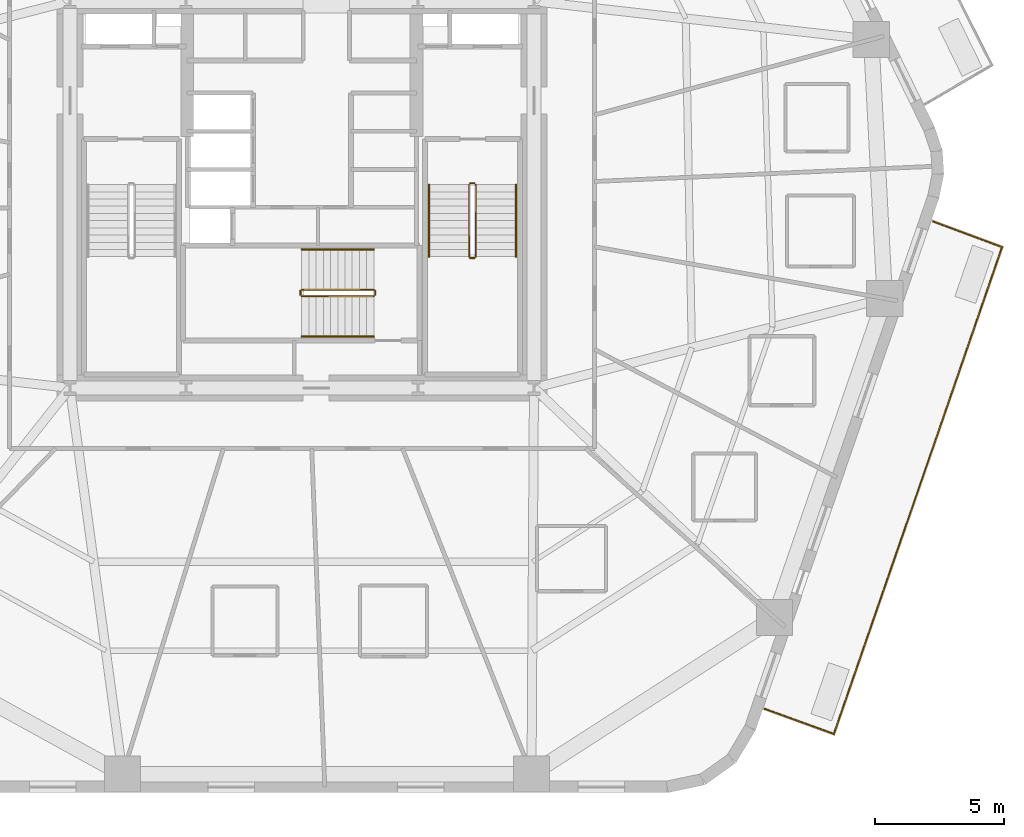
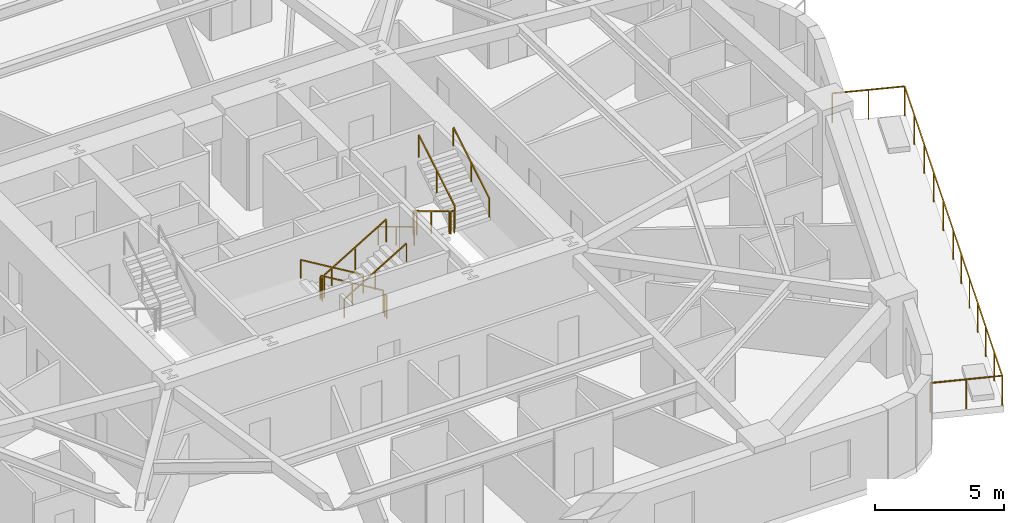
# One storey, part 9 of 10: 13 railings.
"""IFC4 building model written with IfcOpenShell, lengths in metres."""

from ifc_helpers import new_model, si_unit, direction, frame, origin, origin_2d, place, context, subcontext, project, spatial, rectangle, extrude, material, layer, layer_set, type_object, element, save


model = new_model("IFC4")

# Units and contexts
model_context = context("Model", 3, precision=1e-05, world=origin(), true_north=direction((0.0, 1.0)))
body_context = subcontext(model_context, "Body", "Model", "MODEL_VIEW")
ifc_project = project(units=[si_unit("LENGTHUNIT", "METRE"), si_unit("AREAUNIT", "SQUARE_METRE"), si_unit("VOLUMEUNIT", "CUBIC_METRE"), si_unit("PLANEANGLEUNIT", "RADIAN"), si_unit("MASSUNIT", "GRAM", prefix="KILO")], contexts=[model_context])

# Site, building, storey
site_placement = place(None, origin())
site = spatial("IfcSite", under=ifc_project, at=site_placement, CompositionType="ELEMENT")
building_placement = place(site_placement, origin())
building = spatial("IfcBuilding", under=site, at=building_placement, Name="Kilnhurst Terrace Hotel", CompositionType="ELEMENT")
storey_placement = place(building_placement, frame((0.0, 0.0, 49.0)))
storey = spatial("IfcBuildingStorey", under=building, at=storey_placement, Name="L10", CompositionType="ELEMENT", Elevation=49.0)

# Railings
ifc_material_1 = material(Name="Laminated SentryGlas and Stainless Steel AISI 316L Balustrade", Category="steel")
ifc_layer_1 = layer(ifc_material_1, 0.070068359375, Name="Laminated SentryGlas and Stainless Steel AISI 316L Balustrade")
ifc_layer_set_1 = layer_set([ifc_layer_1], Name="Laminated SentryGlas and Stainless Steel AISI 316L Balustrade")
railing_type_1 = type_object("IfcRailingType", Name="RLG-BAL-1420", PredefinedType="BALUSTRADE", material=ifc_layer_set_1)
railing_1_placement = place(storey_placement, frame((24.485107421875, -1.041748046875, 0.0)))
element("IfcRailing", 1, at=railing_1_placement, inside=storey, type_object=railing_type_1, Name="L10 Exterior Terrace Guardrail BAL-L1A.1", PredefinedType="BALUSTRADE", context=body_context, shape_type="SweptSolid", body=[
    extrude(rectangle(XDim=0.048095703125, YDim=0.048095703125, at=origin_2d()), frame((0.0, 0.0, 1.39599609375), z_axis=(0.937279097592, -0.348579823308, 0.0), x_axis=(0.348579823308, 0.937279097592, 0.0)), (0.0, 0.0, 1.0), 2.85205078125),
    extrude(rectangle(XDim=0.048095703125, YDim=0.048095703125, at=origin_2d()), frame((2.673095703125, -0.994140625, 1.39599609375), z_axis=(-0.326159116329, -0.945314884488, 0.0), x_axis=(0.945314884488, -0.326159116329, 0.0)), (0.0, 0.0, 1.0), 9.91650390625),
    extrude(rectangle(XDim=0.048095703125, YDim=0.048095703125, at=origin_2d()), frame((-0.561279296875, -10.368408203125, 1.39599609375), z_axis=(-0.326903959129, -0.945057565181, 0.0), x_axis=(0.945057565181, -0.326903959129, 0.0)), (0.0, 0.0, 1.0), 10.065673828125),
    extrude(rectangle(XDim=0.048095703125, YDim=0.048095703125, at=origin_2d()), frame((-3.851806640625, -19.881103515625, 1.39599609375), z_axis=(-0.939926315563, 0.341377388402, 0.0), x_axis=(-0.341377388402, -0.939926315563, 0.0)), (0.0, 0.0, 1.0), 2.84130859375),
    extrude(rectangle(XDim=0.0419921875, YDim=0.0419921875, at=origin_2d()), origin(), (0.0, 0.0, 1.0), 1.371826171875),
    extrude(rectangle(XDim=0.0419921875, YDim=0.0419921875, at=origin_2d()), frame((1.33642578125, -0.4970703125, 0.0)), (0.0, 0.0, 1.0), 1.371826171875),
    extrude(rectangle(XDim=0.0419921875, YDim=0.0419921875, at=origin_2d()), frame((2.673095703125, -0.994140625, 0.0)), (0.0, 0.0, 1.0), 1.371826171875),
    extrude(rectangle(XDim=0.0419921875, YDim=0.0419921875, at=origin_2d()), frame((2.026123046875, -2.868896484375, 0.0)), (0.0, 0.0, 1.0), 1.371826171875),
    extrude(rectangle(XDim=0.0419921875, YDim=0.0419921875, at=origin_2d()), frame((1.37939453125, -4.743896484375, 0.0)), (0.0, 0.0, 1.0), 1.371826171875),
    extrude(rectangle(XDim=0.0419921875, YDim=0.0419921875, at=origin_2d()), frame((0.732421875, -6.61865234375, 0.0)), (0.0, 0.0, 1.0), 1.371826171875),
    extrude(rectangle(XDim=0.0419921875, YDim=0.0419921875, at=origin_2d()), frame((0.085693359375, -8.49365234375, 0.0)), (0.0, 0.0, 1.0), 1.371826171875),
    extrude(rectangle(XDim=0.0419921875, YDim=0.0419921875, at=origin_2d()), frame((-0.561279296875, -10.368408203125, 0.0)), (0.0, 0.0, 1.0), 1.371826171875),
    extrude(rectangle(XDim=0.0419921875, YDim=0.0419921875, at=origin_2d()), frame((-1.109619140625, -11.953857421875, 0.0)), (0.0, 0.0, 1.0), 1.371826171875),
    extrude(rectangle(XDim=0.0419921875, YDim=0.0419921875, at=origin_2d()), frame((-1.658203125, -13.539306640625, 0.0)), (0.0, 0.0, 1.0), 1.371826171875),
    extrude(rectangle(XDim=0.0419921875, YDim=0.0419921875, at=origin_2d()), frame((-2.20654296875, -15.124755859375, 0.0)), (0.0, 0.0, 1.0), 1.371826171875),
    extrude(rectangle(XDim=0.0419921875, YDim=0.0419921875, at=origin_2d()), frame((-2.7548828125, -16.710205078125, 0.0)), (0.0, 0.0, 1.0), 1.371826171875),
    extrude(rectangle(XDim=0.0419921875, YDim=0.0419921875, at=origin_2d()), frame((-3.303466796875, -18.295654296875, 0.0)), (0.0, 0.0, 1.0), 1.371826171875),
    extrude(rectangle(XDim=0.0419921875, YDim=0.0419921875, at=origin_2d()), frame((-3.851806640625, -19.881103515625, 0.0)), (0.0, 0.0, 1.0), 1.371826171875),
    extrude(rectangle(XDim=0.0419921875, YDim=0.0419921875, at=origin_2d()), frame((-5.18701171875, -19.39599609375, 0.0)), (0.0, 0.0, 1.0), 1.371826171875),
    extrude(rectangle(XDim=0.0419921875, YDim=0.0419921875, at=origin_2d()), frame((-6.5224609375, -18.9111328125, 0.0)), (0.0, 0.0, 1.0), 1.371826171875),
])
ifc_material_2 = material(Name="Powder-Coated Steel ASTM A500 Grade B", Category="steel")
ifc_layer_2 = layer(ifc_material_2, 0.050048828125, Name="Powder-Coated Steel ASTM A500 Grade B")
ifc_layer_set_2 = layer_set([ifc_layer_2], Name="Powder-Coated Steel ASTM A500 Grade B")
railing_type_2 = type_object("IfcRailingType", Name="RLG-ST-GRD-1100", PredefinedType="GUARDRAIL", material=ifc_layer_set_2)
railing_2_placement = place(storey_placement, frame((6.489990234375, 0.389892578125, 0.168212890625)))
element("IfcRailing", 2, at=railing_2_placement, inside=storey, type_object=railing_type_2, Name="L10 ST-2 stair guard 1", PredefinedType="GUARDRAIL", context=body_context, shape_type="SweptSolid", body=[
    extrude(rectangle(XDim=0.048095703125, YDim=0.048095703125, at=origin_2d()), frame((0.0, 0.0, 1.076171875), z_axis=(0.0, -0.857222391501, 0.514946377315), x_axis=(1.0, 0.0, 0.0)), (0.0, 0.0, 1.0), 3.26611328125),
    extrude(rectangle(XDim=0.0419921875, YDim=0.0419921875, at=origin_2d()), origin(), (0.0, 0.0, 1.0), 1.052001953125),
    extrude(rectangle(XDim=0.0419921875, YDim=0.0419921875, at=origin_2d()), frame((0.0, -1.39990234375, 0.8408203125)), (0.0, 0.0, 1.0), 1.052001953125),
    extrude(rectangle(XDim=0.0419921875, YDim=0.0419921875, at=origin_2d()), frame((0.0, -2.7998046875, 1.681884765625)), (0.0, 0.0, 1.0), 1.052001953125),
])
railing_3_placement = place(storey_placement, frame((6.5400390625, -2.4599609375, 1.85009765625)))
element("IfcRailing", 3, at=railing_3_placement, inside=storey, type_object=railing_type_2, Name="L10 ST-2 stair guard 2", PredefinedType="GUARDRAIL", context=body_context, shape_type="SweptSolid", body=[
    extrude(rectangle(XDim=0.048095703125, YDim=0.048095703125, at=origin_2d()), frame((0.0, 0.0, 1.076171875), z_axis=(1.0, 0.0, 0.0), x_axis=(0.0, 1.0, 0.0)), (0.0, 0.0, 1.0), 0.14990234375),
    extrude(rectangle(XDim=0.0419921875, YDim=0.0419921875, at=origin_2d()), origin(), (0.0, 0.0, 1.0), 1.052001953125),
    extrude(rectangle(XDim=0.0419921875, YDim=0.0419921875, at=origin_2d()), frame((0.14990234375, 0.0, 0.0)), (0.0, 0.0, 1.0), 1.052001953125),
])
railing_4_placement = place(storey_placement, frame((6.739990234375, -2.409912109375, 2.01806640625)))
element("IfcRailing", 4, at=railing_4_placement, inside=storey, type_object=railing_type_2, Name="L10 ST-2 stair guard 3", PredefinedType="GUARDRAIL", context=body_context, shape_type="SweptSolid", body=[
    extrude(rectangle(XDim=0.048095703125, YDim=0.048095703125, at=origin_2d()), frame((0.0, 0.0, 1.076171875), z_axis=(0.0, 0.857222391501, 0.514946377315), x_axis=(-1.0, 0.0, 0.0)), (0.0, 0.0, 1.0), 3.26611328125),
    extrude(rectangle(XDim=0.0419921875, YDim=0.0419921875, at=origin_2d()), origin(), (0.0, 0.0, 1.0), 1.052001953125),
    extrude(rectangle(XDim=0.0419921875, YDim=0.0419921875, at=origin_2d()), frame((0.0, 1.39990234375, 0.8408203125)), (0.0, 0.0, 1.0), 1.052001953125),
    extrude(rectangle(XDim=0.0419921875, YDim=0.0419921875, at=origin_2d()), frame((0.0, 2.7998046875, 1.681884765625)), (0.0, 0.0, 1.0), 1.052001953125),
])
railing_5_placement = place(storey_placement, frame((6.5400390625, 0.43994140625, 0.0)))
element("IfcRailing", 5, at=railing_5_placement, inside=storey, type_object=railing_type_2, Name="L10 ST-2 stair guard 4", PredefinedType="GUARDRAIL", context=body_context, shape_type="SweptSolid", body=[
    extrude(rectangle(XDim=0.048095703125, YDim=0.048095703125, at=origin_2d()), frame((0.0, 0.0, 1.076171875), z_axis=(1.0, 0.0, 0.0), x_axis=(0.0, 1.0, 0.0)), (0.0, 0.0, 1.0), 0.14990234375),
    extrude(rectangle(XDim=0.0419921875, YDim=0.0419921875, at=origin_2d()), origin(), (0.0, 0.0, 1.0), 1.052001953125),
    extrude(rectangle(XDim=0.0419921875, YDim=0.0419921875, at=origin_2d()), frame((0.14990234375, 0.0, 0.0)), (0.0, 0.0, 1.0), 1.052001953125),
])
railing_6_placement = place(storey_placement, frame((2.7900390625, -3.68994140625, 0.168212890625)))
element("IfcRailing", 6, at=railing_6_placement, inside=storey, type_object=railing_type_2, Name="L10 ST-3 stair guard 1", PredefinedType="GUARDRAIL", context=body_context, shape_type="SweptSolid", body=[
    extrude(rectangle(XDim=0.048095703125, YDim=0.048095703125, at=origin_2d()), frame((0.0, 0.0, 1.076171875), z_axis=(-0.857242210791, 0.0, 0.514913383045), x_axis=(0.0, -1.0, 0.0)), (0.0, 0.0, 1.0), 3.266357421875),
    extrude(rectangle(XDim=0.0419921875, YDim=0.0419921875, at=origin_2d()), origin(), (0.0, 0.0, 1.0), 1.052001953125),
    extrude(rectangle(XDim=0.0419921875, YDim=0.0419921875, at=origin_2d()), frame((-1.39990234375, 0.0, 0.8408203125)), (0.0, 0.0, 1.0), 1.052001953125),
    extrude(rectangle(XDim=0.0419921875, YDim=0.0419921875, at=origin_2d()), frame((-2.800048828125, 0.0, 1.681884765625)), (0.0, 0.0, 1.0), 1.052001953125),
])
railing_7_placement = place(storey_placement, frame((-0.06005859375, -3.739990234375, 1.85009765625)))
element("IfcRailing", 7, at=railing_7_placement, inside=storey, type_object=railing_type_2, Name="L10 ST-3 stair guard 2", PredefinedType="GUARDRAIL", context=body_context, shape_type="SweptSolid", body=[
    extrude(rectangle(XDim=0.048095703125, YDim=0.048095703125, at=origin_2d()), frame((0.0, 0.0, 1.076171875), z_axis=(0.0, -1.0, 0.0), x_axis=(1.0, 0.0, 0.0)), (0.0, 0.0, 1.0), 0.14990234375),
    extrude(rectangle(XDim=0.0419921875, YDim=0.0419921875, at=origin_2d()), origin(), (0.0, 0.0, 1.0), 1.052001953125),
    extrude(rectangle(XDim=0.0419921875, YDim=0.0419921875, at=origin_2d()), frame((0.0, -0.14990234375, 0.0)), (0.0, 0.0, 1.0), 1.052001953125),
])
railing_8_placement = place(storey_placement, frame((-0.010009765625, -3.93994140625, 2.01806640625)))
element("IfcRailing", 8, at=railing_8_placement, inside=storey, type_object=railing_type_2, Name="L10 ST-3 stair guard 3", PredefinedType="GUARDRAIL", context=body_context, shape_type="SweptSolid", body=[
    extrude(rectangle(XDim=0.048095703125, YDim=0.048095703125, at=origin_2d()), frame((0.0, 0.0, 1.076171875), z_axis=(0.857242210791, 0.0, 0.514913383045), x_axis=(0.0, 1.0, 0.0)), (0.0, 0.0, 1.0), 3.266357421875),
    extrude(rectangle(XDim=0.0419921875, YDim=0.0419921875, at=origin_2d()), origin(), (0.0, 0.0, 1.0), 1.052001953125),
    extrude(rectangle(XDim=0.0419921875, YDim=0.0419921875, at=origin_2d()), frame((1.39990234375, 0.0, 0.8408203125)), (0.0, 0.0, 1.0), 1.052001953125),
    extrude(rectangle(XDim=0.0419921875, YDim=0.0419921875, at=origin_2d()), frame((2.800048828125, 0.0, 1.681884765625)), (0.0, 0.0, 1.0), 1.052001953125),
])
railing_9_placement = place(storey_placement, frame((2.840087890625, -3.739990234375, 0.0)))
element("IfcRailing", 9, at=railing_9_placement, inside=storey, type_object=railing_type_2, Name="L10 ST-3 stair guard 4", PredefinedType="GUARDRAIL", context=body_context, shape_type="SweptSolid", body=[
    extrude(rectangle(XDim=0.048095703125, YDim=0.048095703125, at=origin_2d()), frame((0.0, 0.0, 1.076171875), z_axis=(0.0, -1.0, 0.0), x_axis=(1.0, 0.0, 0.0)), (0.0, 0.0, 1.0), 0.14990234375),
    extrude(rectangle(XDim=0.0419921875, YDim=0.0419921875, at=origin_2d()), origin(), (0.0, 0.0, 1.0), 1.052001953125),
    extrude(rectangle(XDim=0.0419921875, YDim=0.0419921875, at=origin_2d()), frame((0.0, -0.14990234375, 0.0)), (0.0, 0.0, 1.0), 1.052001953125),
])
ifc_material_3 = material(Name="Brushed Stainless Steel AISI 304", Category="steel")
ifc_layer_3 = layer(ifc_material_3, 0.048095703125, Name="Brushed Stainless Steel AISI 304")
ifc_layer_set_3 = layer_set([ifc_layer_3], Name="Brushed Stainless Steel AISI 304")
railing_type_3 = type_object("IfcRailingType", Name="RLG-ST-HRL-900", PredefinedType="HANDRAIL", material=ifc_layer_set_3)
railing_10_placement = place(storey_placement, frame((4.929931640625, 0.389892578125, 0.168212890625)))
element("IfcRailing", 10, at=railing_10_placement, inside=storey, type_object=railing_type_3, Name="L10 ST-2 stair handrail 1", PredefinedType="HANDRAIL", context=body_context, shape_type="SweptSolid", body=[
    extrude(rectangle(XDim=0.048095703125, YDim=0.048095703125, at=origin_2d()), frame((0.0, 0.0, 0.8759765625), z_axis=(0.0, -0.857222391501, 0.514946377315), x_axis=(1.0, 0.0, 0.0)), (0.0, 0.0, 1.0), 3.26611328125),
    extrude(rectangle(XDim=0.0419921875, YDim=0.0419921875, at=origin_2d()), origin(), (0.0, 0.0, 1.0), 0.851806640625),
    extrude(rectangle(XDim=0.0419921875, YDim=0.0419921875, at=origin_2d()), frame((0.0, -1.39990234375, 0.8408203125)), (0.0, 0.0, 1.0), 0.851806640625),
    extrude(rectangle(XDim=0.0419921875, YDim=0.0419921875, at=origin_2d()), frame((0.0, -2.7998046875, 1.681884765625)), (0.0, 0.0, 1.0), 0.851806640625),
])
railing_11_placement = place(storey_placement, frame((8.300048828125, -2.409912109375, 2.01806640625)))
element("IfcRailing", 11, at=railing_11_placement, inside=storey, type_object=railing_type_3, Name="L10 ST-2 stair handrail 2", PredefinedType="HANDRAIL", context=body_context, shape_type="SweptSolid", body=[
    extrude(rectangle(XDim=0.048095703125, YDim=0.048095703125, at=origin_2d()), frame((0.0, 0.0, 0.8759765625), z_axis=(0.0, 0.857222391501, 0.514946377315), x_axis=(-1.0, 0.0, 0.0)), (0.0, 0.0, 1.0), 3.26611328125),
    extrude(rectangle(XDim=0.0419921875, YDim=0.0419921875, at=origin_2d()), origin(), (0.0, 0.0, 1.0), 0.851806640625),
    extrude(rectangle(XDim=0.0419921875, YDim=0.0419921875, at=origin_2d()), frame((0.0, 1.39990234375, 0.8408203125)), (0.0, 0.0, 1.0), 0.851806640625),
    extrude(rectangle(XDim=0.0419921875, YDim=0.0419921875, at=origin_2d()), frame((0.0, 2.7998046875, 1.681884765625)), (0.0, 0.0, 1.0), 0.851806640625),
])
railing_12_placement = place(storey_placement, frame((2.7900390625, -2.1298828125, 0.168212890625)))
element("IfcRailing", 12, at=railing_12_placement, inside=storey, type_object=railing_type_3, Name="L10 ST-3 stair handrail 1", PredefinedType="HANDRAIL", context=body_context, shape_type="SweptSolid", body=[
    extrude(rectangle(XDim=0.048095703125, YDim=0.048095703125, at=origin_2d()), frame((0.0, 0.0, 0.8759765625), z_axis=(-0.857242210791, 0.0, 0.514913383045), x_axis=(0.0, -1.0, 0.0)), (0.0, 0.0, 1.0), 3.266357421875),
    extrude(rectangle(XDim=0.0419921875, YDim=0.0419921875, at=origin_2d()), origin(), (0.0, 0.0, 1.0), 0.851806640625),
    extrude(rectangle(XDim=0.0419921875, YDim=0.0419921875, at=origin_2d()), frame((-1.39990234375, 0.0, 0.8408203125)), (0.0, 0.0, 1.0), 0.851806640625),
    extrude(rectangle(XDim=0.0419921875, YDim=0.0419921875, at=origin_2d()), frame((-2.800048828125, 0.0, 1.681884765625)), (0.0, 0.0, 1.0), 0.851806640625),
])
railing_13_placement = place(storey_placement, frame((-0.010009765625, -5.5, 2.01806640625)))
element("IfcRailing", 13, at=railing_13_placement, inside=storey, type_object=railing_type_3, Name="L10 ST-3 stair handrail 2", PredefinedType="HANDRAIL", context=body_context, shape_type="SweptSolid", body=[
    extrude(rectangle(XDim=0.048095703125, YDim=0.048095703125, at=origin_2d()), frame((0.0, 0.0, 0.8759765625), z_axis=(0.857242210791, 0.0, 0.514913383045), x_axis=(0.0, 1.0, 0.0)), (0.0, 0.0, 1.0), 3.266357421875),
    extrude(rectangle(XDim=0.0419921875, YDim=0.0419921875, at=origin_2d()), origin(), (0.0, 0.0, 1.0), 0.851806640625),
    extrude(rectangle(XDim=0.0419921875, YDim=0.0419921875, at=origin_2d()), frame((1.39990234375, 0.0, 0.8408203125)), (0.0, 0.0, 1.0), 0.851806640625),
    extrude(rectangle(XDim=0.0419921875, YDim=0.0419921875, at=origin_2d()), frame((2.800048828125, 0.0, 1.681884765625)), (0.0, 0.0, 1.0), 0.851806640625),
])

save(model, "model.ifc")
